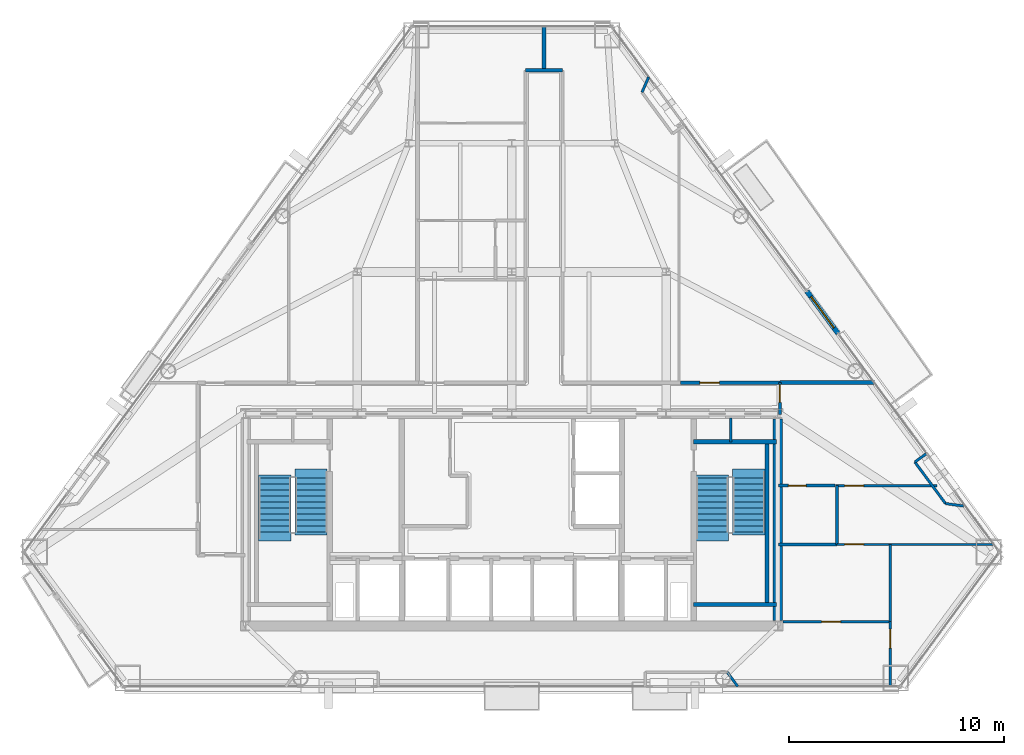
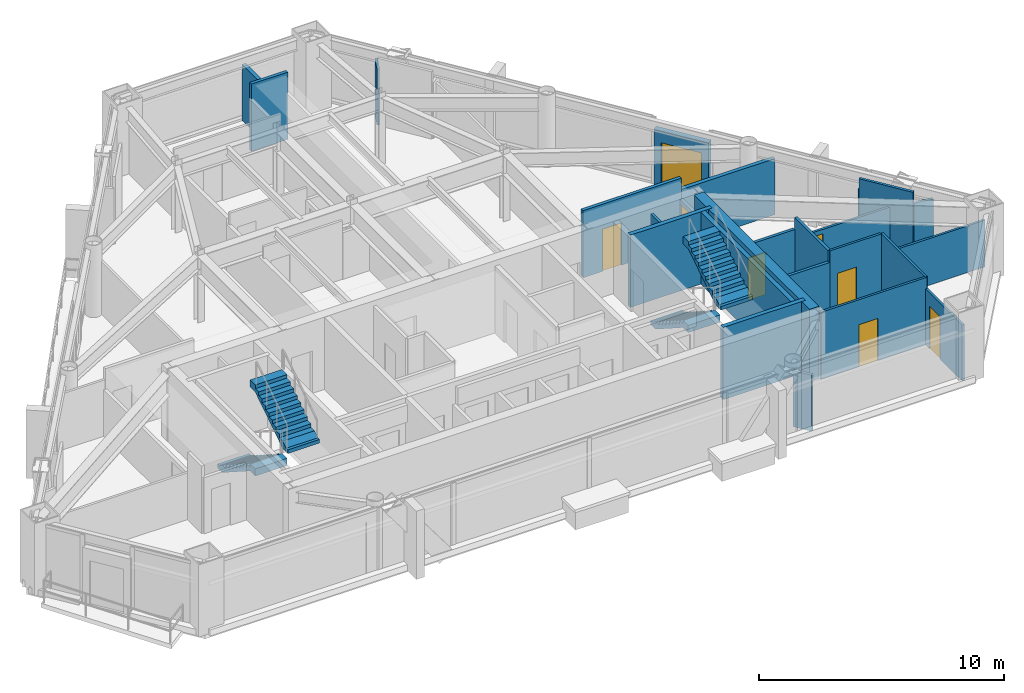
# One storey, part 9 of 11: 25 walls, 8 doors, 4 stair flights, 8 openings, 2 elements without a shape of their own.
"""IFC4 building model written with IfcOpenShell, lengths in metres."""

from ifc_helpers import new_model, si_unit, direction, frame, frame_2d, origin, place, context, subcontext, project, spatial, polyline, rectangle, outline, extrude, material, layer, layer_set, type_object, element, fill, aggregate, save


model = new_model("IFC4")

# Units and contexts
model_context = context("Model", 3, precision=1e-05, world=origin(), true_north=direction((0.0, 1.0)))
body_context = subcontext(model_context, "Body", "Model", "MODEL_VIEW")
ifc_project = project(units=[si_unit("LENGTHUNIT", "METRE"), si_unit("AREAUNIT", "SQUARE_METRE"), si_unit("VOLUMEUNIT", "CUBIC_METRE"), si_unit("PLANEANGLEUNIT", "RADIAN"), si_unit("MASSUNIT", "GRAM", prefix="KILO")], contexts=[model_context])

# Site, building, storey
site_placement = place(None, origin())
site = spatial("IfcSite", under=ifc_project, at=site_placement, CompositionType="ELEMENT")
building_placement = place(site_placement, origin())
building = spatial("IfcBuilding", under=site, at=building_placement, Name="Talgorran Terracotta Tower", CompositionType="ELEMENT")
storey_placement = place(building_placement, frame((0.0, 0.0, 158.10009765625)))
storey = spatial("IfcBuildingStorey", under=building, at=storey_placement, Name="L41", CompositionType="ELEMENT", Elevation=158.10009765625)

# Wall, opening, door
ifc_material_1 = material(Name="Concrete C40/50", Category="concrete")
ifc_layer_1 = layer(ifc_material_1, 0.239990234375, Name="WT_BALCONY_SPAND")
ifc_layer_set_1 = layer_set([ifc_layer_1], Name="Concrete C40/50")
wall_type_1 = type_object("IfcWallType", Name="WT_BALCONY_SPAND", PredefinedType="STANDARD", material=ifc_layer_set_1)
wall_1_placement = place(storey_placement, frame((15.20849609375, -0.460693359375, -0.01513671875), z_axis=(0.0, 0.0, 1.0), x_axis=(-0.593785976482, 0.804623026102, 0.0)))
wall_1 = element("IfcWall", 1, at=wall_1_placement, inside=storey, type_object=wall_type_1, Name="WL-L41-BALP-BAL-NE", PredefinedType="STANDARD", context=body_context, shape_type="SweptSolid", body=[
    extrude(rectangle(XDim=2.439697265625, YDim=0.239990234375, at=frame_2d((1.2197265625, 0.0))), origin(), (0.0, 0.0, 1.0), 2.80712890625),
])
opening_1_placement = place(wall_1_placement, frame((0.320068359375, 0.0, 0.014892578125)))
opening_1 = element("IfcOpeningElement", 2, at=opening_1_placement, cuts=wall_1, Name="Opening D-BAL-L41-1", PredefinedType="OPENING", context=body_context, shape_type="SweptSolid", body=[
    extrude(rectangle(XDim=1.806048828125, YDim=2.203951171875, at=frame_2d((0.89990234375, 1.10205078125))), frame((0.0, 0.1298828125, 0.0), z_axis=(0.0, -1.0, 0.0), x_axis=(1.0, 0.0, 0.0)), (0.0, 0.0, 1.0), 0.260009765625),
])
ifc_material_2 = material(Name="Thermally Broken Aluminium", Category="aluminium")
door_type_1 = type_object("IfcDoorType", Name="DT_BALC_1800", OperationType="SLIDING_TO_LEFT", PredefinedType="DOOR", material=ifc_material_2)
door_1_placement = place(opening_1_placement, origin())
door_1 = element("IfcDoor", 3, at=door_1_placement, inside=storey, type_object=door_type_1, Name="DR-L41-BAL-BAL-NE", OperationType="SLIDING_TO_LEFT", OverallHeight=2.199951171875, OverallWidth=1.800048828125, PredefinedType="DOOR", context=body_context, shape_type="SweptSolid", body=[
    extrude(rectangle(XDim=1.800048828125, YDim=2.199951171875, at=frame_2d((0.89990234375, 1.10009765625))), frame((0.0, 0.02490234375, 0.0), z_axis=(0.0, -1.0, 0.0), x_axis=(1.0, 0.0, 0.0)), (0.0, 0.0, 1.0), 0.050048828125),
])
fill(opening_1, door_1)

# Walls
ifc_material_3 = material(Name="Concrete C50/60", Category="concrete")
ifc_layer_2 = layer(ifc_material_3, 0.199951171875, Name="WT_CORE_200")
ifc_layer_set_2 = layer_set([ifc_layer_2], Name="Concrete C50/60")
wall_type_2 = type_object("IfcWallType", Name="WT_CORE_200", PredefinedType="SOLIDWALL", material=ifc_layer_set_2)
for number, where, z_axis, x_axis, name in (
    (4, (8.47998046875, -5.52001953125, 0.0), (0.0, 0.0, 1.0), (1.0, 0.0, 0.0), "WL-L41-CW-ST2-N"),
    (5, (8.47998046875, -13.10009765625, 0.0), (0.0, 0.0, 1.0), (1.0, 0.0, 0.0), "WL-L41-CW-ST2-S"),
):
    element("IfcWall", number, at=place(storey_placement, frame(where, z_axis=z_axis, x_axis=x_axis)), inside=storey, type_object=wall_type_2, Name=name, PredefinedType="SOLIDWALL", context=body_context, shape_type="SweptSolid", body=[
        extrude(rectangle(XDim=3.8701171875, YDim=0.199951171875, at=frame_2d((1.93505859375, 0.0))), origin(), (0.0, 0.0, 1.0), 3.599853515625),
    ])
wall_2_placement = place(storey_placement, frame((11.89990234375, -13.10009765625, 0.0), z_axis=(0.0, 0.0, 1.0), x_axis=(0.0, 1.0, 0.0)))
element("IfcWall", 6, at=wall_2_placement, inside=storey, type_object=wall_type_2, Name="WL-L41-CW-ST2-E", PredefinedType="SOLIDWALL", context=body_context, shape_type="SweptSolid", body=[
    extrude(rectangle(XDim=7.580078125, YDim=0.199951171875, at=frame_2d((3.7900390625, 0.0))), origin(), (0.0, 0.0, 1.0), 3.599853515625),
])
ifc_material_4 = material(Name="Concrete C65/80", Category="concrete")
ifc_layer_3 = layer(ifc_material_4, 0.449951171875, Name="WT_CORE_EXT")
ifc_layer_set_3 = layer_set([ifc_layer_3], Name="Concrete C65/80")
wall_type_3 = type_object("IfcWallType", Name="WT_CORE_EXT", PredefinedType="SHEAR", material=ifc_layer_set_3)
wall_3_placement = place(storey_placement, frame((12.39990234375, -13.85009765625, 0.0), z_axis=(0.0, 0.0, 1.0), x_axis=(0.0, 1.0, 0.0)))
element("IfcWall", 7, at=wall_3_placement, inside=storey, type_object=wall_type_3, Name="WL-L41-CW-OUT-E", PredefinedType="SHEAR", context=body_context, shape_type="SweptSolid", body=[
    extrude(rectangle(XDim=9.400146484375, YDim=0.449951171875, at=frame_2d((4.7001953125, 0.0))), origin(), (0.0, 0.0, 1.0), 3.599853515625),
])

# Wall, opening, door
ifc_material_5 = material(Name="Fire-Rated Steel Stud Plasterboard", Category="steel")
ifc_layer_4 = layer(ifc_material_5, 0.14990234375, Name="WT_FIRE_150")
ifc_layer_set_4 = layer_set([ifc_layer_4], Name="Fire-Rated Steel Stud Plasterboard")
wall_type_4 = type_object("IfcWallType", Name="WT_FIRE_150", PredefinedType="PARTITIONING", material=ifc_layer_set_4)
wall_4_placement = place(storey_placement, frame((7.862060546875, -2.760009765625, 0.0), z_axis=(0.0, 0.0, 1.0), x_axis=(1.0, 0.0, 0.0)))
wall_4 = element("IfcWall", 8, at=wall_4_placement, inside=storey, type_object=wall_type_4, Name="WL-L41-W-L41-R16", PredefinedType="PARTITIONING", context=body_context, shape_type="SweptSolid", body=[
    extrude(rectangle(XDim=4.637939453125, YDim=0.14990234375, at=frame_2d((2.31884765625, 0.0))), origin(), (0.0, 0.0, 1.0), 3.349853515625),
])
opening_2_placement = place(wall_4_placement, frame((0.912841796875, 0.0, 0.0)))
opening_2 = element("IfcOpeningElement", 9, at=opening_2_placement, cuts=wall_4, Name="Opening DR-L41-R16", PredefinedType="OPENING", context=body_context, shape_type="SweptSolid", body=[
    extrude(rectangle(XDim=0.90590234375, YDim=2.10409765625, at=frame_2d((0.449951171875, 1.052001953125))), frame((0.0, 0.0849609375, 0.0), z_axis=(0.0, -1.0, 0.0), x_axis=(1.0, 0.0, 0.0)), (0.0, 0.0, 1.0), 0.169921875),
])
ifc_material_6 = material(Name="Fire-Rated Timber Core", Category="wood")
door_type_2 = type_object("IfcDoorType", Name="DT_FIRE_900", OperationType="NOTDEFINED", PredefinedType="DOOR", material=ifc_material_6)
door_2_placement = place(opening_2_placement, origin())
door_2 = element("IfcDoor", 10, at=door_2_placement, inside=storey, type_object=door_type_2, Name="DR-L41-R16", OperationType="SINGLE_SWING_RIGHT", OverallHeight=2.10009765625, OverallWidth=0.89990234375, PredefinedType="DOOR", context=body_context, shape_type="SweptSolid", body=[
    extrude(rectangle(XDim=0.89990234375, YDim=2.10009765625, at=frame_2d((0.449951171875, 1.050048828125))), frame((0.0, 0.02490234375, 0.0), z_axis=(0.0, -1.0, 0.0), x_axis=(1.0, 0.0, 0.0)), (0.0, 0.0, 1.0), 0.050048828125),
])
fill(opening_2, door_2)

wall_5_placement = place(storey_placement, frame((12.5, -4.239990234375, 0.0), z_axis=(0.0, 0.0, 1.0), x_axis=(0.0, 1.0, 0.0)))
wall_5 = element("IfcWall", 11, at=wall_5_placement, inside=storey, type_object=wall_type_4, Name="WL-L41-W-L41-R04", PredefinedType="PARTITIONING", context=body_context, shape_type="SweptSolid", body=[
    extrude(rectangle(XDim=1.47998046875, YDim=0.14990234375, at=frame_2d((0.739990234375, 0.0))), origin(), (0.0, 0.0, 1.0), 2.324951171875),
])
opening_3_placement = place(wall_5_placement, frame((0.56005859375, 0.0, 0.0)))
opening_3 = element("IfcOpeningElement", 12, at=opening_3_placement, cuts=wall_5, Name="Opening DR-L41-R03", PredefinedType="OPENING", context=body_context, shape_type="SweptSolid", body=[
    extrude(rectangle(XDim=0.826068359375, YDim=2.10409765625, at=frame_2d((0.41015625, 1.052001953125))), frame((0.0, 0.0849609375, 0.0), z_axis=(0.0, -1.0, 0.0), x_axis=(1.0, 0.0, 0.0)), (0.0, 0.0, 1.0), 0.169921875),
])
ifc_material_7 = material(Name="Moisture-Resistant Solid Timber", Category="wood")
door_type_3 = type_object("IfcDoorType", Name="DT_INT_820", OperationType="NOTDEFINED", PredefinedType="DOOR", material=ifc_material_7)
door_3_placement = place(opening_3_placement, origin())
door_3 = element("IfcDoor", 13, at=door_3_placement, inside=storey, type_object=door_type_3, Name="DR-L41-R03", OperationType="SINGLE_SWING_LEFT", OverallHeight=2.10009765625, OverallWidth=0.820068359375, PredefinedType="DOOR", context=body_context, shape_type="SweptSolid", body=[
    extrude(rectangle(XDim=0.820068359375, YDim=2.10009765625, at=frame_2d((0.41015625, 1.050048828125))), frame((0.0, 0.02490234375, 0.0), z_axis=(0.0, -1.0, 0.0), x_axis=(1.0, 0.0, 0.0)), (0.0, 0.0, 1.0), 0.050048828125),
])
fill(opening_3, door_3)

# Walls
wall_6_placement = place(storey_placement, frame((0.639892578125, 11.800048828125, 0.0), z_axis=(0.0, 0.0, 1.0), x_axis=(1.0, 0.0, 0.0)))
element("IfcWall", 14, at=wall_6_placement, inside=storey, type_object=wall_type_4, Name="WL-L41-W-L41-R12", PredefinedType="PARTITIONING", context=body_context, shape_type="SweptSolid", body=[
    extrude(rectangle(XDim=1.72021484375, YDim=0.14990234375, at=frame_2d((0.860107421875, 0.0))), origin(), (0.0, 0.0, 1.0), 3.349853515625),
])
ifc_material_8 = material(Name="Acoustic Stud and Plasterboard")
ifc_layer_5 = layer(ifc_material_8, 0.179931640625, Name="WT_PARTY_200")
ifc_layer_set_5 = layer_set([ifc_layer_5], Name="Acoustic Stud and Plasterboard")
wall_type_5 = type_object("IfcWallType", Name="WT_PARTY_200", PredefinedType="PARTITIONING", material=ifc_layer_set_5)
wall_7_placement = place(storey_placement, frame((12.5, -2.760009765625, 0.0), z_axis=(0.0, 0.0, 1.0), x_axis=(1.0, 0.0, 0.0)))
element("IfcWall", 15, at=wall_7_placement, inside=storey, type_object=wall_type_5, Name="WL-L41-W-L41-R21", PredefinedType="PARTITIONING", context=body_context, shape_type="SweptSolid", body=[
    extrude(rectangle(XDim=4.4052734375, YDim=0.179931640625, at=frame_2d((2.20263671875, 0.0))), origin(), (0.0, 0.0, 1.0), 2.7919921875),
])
wall_8_placement = place(storey_placement, frame((1.5, 11.800048828125, 0.0), z_axis=(0.0, 0.0, 1.0), x_axis=(0.0, 1.0, 0.0)))
element("IfcWall", 16, at=wall_8_placement, inside=storey, type_object=wall_type_5, Name="WL-L41-W-L41-R40", PredefinedType="PARTITIONING", context=body_context, shape_type="SweptSolid", body=[
    extrude(rectangle(XDim=2.03466796875, YDim=0.179931640625, at=frame_2d((1.017333984375, 0.0))), origin(), (0.0, 0.0, 1.0), 2.7919921875),
])

# Wall, opening, door
ifc_material_9 = material(Name="Lightweight Steel Stud Partition", Category="steel")
ifc_layer_6 = layer(ifc_material_9, 0.10498046875, Name="WT_PART_110")
ifc_layer_set_6 = layer_set([ifc_layer_6], Name="Lightweight Steel Stud Partition")
wall_type_6 = type_object("IfcWallType", Name="WT_PART_110", PredefinedType="PARTITIONING", material=ifc_layer_set_6)
wall_9_placement = place(storey_placement, frame((12.652099609375, -13.89990234375, 0.0), z_axis=(0.0, 0.0, 1.0), x_axis=(1.0, 0.0, 0.0)))
wall_9 = element("IfcWall", 17, at=wall_9_placement, inside=storey, type_object=wall_type_6, Name="WL-L41-W-L41-R26", PredefinedType="PARTITIONING", context=body_context, shape_type="SweptSolid", body=[
    extrude(rectangle(XDim=4.98779296875, YDim=0.10498046875, at=frame_2d((2.493896484375, 0.0))), origin(), (0.0, 0.0, 1.0), 3.349853515625),
])
opening_4_placement = place(wall_9_placement, frame((1.799560546875, 0.0, 0.0)))
opening_4 = element("IfcOpeningElement", 18, at=opening_4_placement, cuts=wall_9, Name="Opening DR-L41-R06", PredefinedType="OPENING", context=body_context, shape_type="SweptSolid", body=[
    extrude(rectangle(XDim=0.8858828125, YDim=2.10409765625, at=frame_2d((0.43994140625, 1.052001953125))), frame((0.0, 0.0625, 0.0), z_axis=(0.0, -1.0, 0.0), x_axis=(1.0, 0.0, 0.0)), (0.0, 0.0, 1.0), 0.125),
])
ifc_material_10 = material(Name="Solid-Core Painted Timber", Category="wood")
door_type_4 = type_object("IfcDoorType", Name="DT_INT_880", OperationType="NOTDEFINED", PredefinedType="DOOR", material=ifc_material_10)
door_4_placement = place(opening_4_placement, origin())
door_4 = element("IfcDoor", 19, at=door_4_placement, inside=storey, type_object=door_type_4, Name="DR-L41-R06", OperationType="SINGLE_SWING_RIGHT", OverallHeight=2.10009765625, OverallWidth=0.8798828125, PredefinedType="DOOR", context=body_context, shape_type="SweptSolid", body=[
    extrude(rectangle(XDim=0.8798828125, YDim=2.10009765625, at=frame_2d((0.43994140625, 1.050048828125))), frame((0.0, 0.02490234375, 0.0), z_axis=(0.0, -1.0, 0.0), x_axis=(1.0, 0.0, 0.0)), (0.0, 0.0, 1.0), 0.050048828125),
])
fill(opening_4, door_4)

# Wall
wall_10_placement = place(storey_placement, frame((17.580078125, -10.300048828125, 0.0), z_axis=(0.0, 0.0, 1.0), x_axis=(1.0, 0.0, 0.0)))
element("IfcWall", 20, at=wall_10_placement, inside=storey, type_object=wall_type_6, Name="WL-L41-W-L41-R25", PredefinedType="PARTITIONING", context=body_context, shape_type="SweptSolid", body=[
    extrude(rectangle(XDim=4.889404296875, YDim=0.10498046875, at=frame_2d((2.44482421875, 0.0))), origin(), (0.0, 0.0, 1.0), 2.324951171875),
])

# Wall, opening, door
wall_11_placement = place(storey_placement, frame((15.080078125, -7.56005859375, 0.0), z_axis=(0.0, 0.0, 1.0), x_axis=(1.0, 0.0, 0.0)))
wall_11 = element("IfcWall", 21, at=wall_11_placement, inside=storey, type_object=wall_type_6, Name="WL-L41-W-L41-R20", PredefinedType="PARTITIONING", context=body_context, shape_type="SweptSolid", body=[
    extrude(rectangle(XDim=4.739990234375, YDim=0.10498046875, at=frame_2d((2.3701171875, 0.0))), origin(), (0.0, 0.0, 1.0), 2.324951171875),
])
opening_5_placement = place(wall_11_placement, frame((0.436279296875, 0.0, 0.0)))
opening_5 = element("IfcOpeningElement", 22, at=opening_5_placement, cuts=wall_11, Name="Opening DR-L41-R05", PredefinedType="OPENING", context=body_context, shape_type="SweptSolid", body=[
    extrude(rectangle(XDim=0.8858828125, YDim=2.10409765625, at=frame_2d((0.43994140625, 1.052001953125))), frame((0.0, 0.0625, 0.0), z_axis=(0.0, -1.0, 0.0), x_axis=(1.0, 0.0, 0.0)), (0.0, 0.0, 1.0), 0.125),
])
door_5_placement = place(opening_5_placement, origin())
door_5 = element("IfcDoor", 23, at=door_5_placement, inside=storey, type_object=door_type_4, Name="DR-L41-R05", OperationType="SINGLE_SWING_LEFT", OverallHeight=2.10009765625, OverallWidth=0.8798828125, PredefinedType="DOOR", context=body_context, shape_type="SweptSolid", body=[
    extrude(rectangle(XDim=0.8798828125, YDim=2.10009765625, at=frame_2d((0.43994140625, 1.050048828125))), frame((0.0, 0.02490234375, 0.0), z_axis=(0.0, -1.0, 0.0), x_axis=(1.0, 0.0, 0.0)), (0.0, 0.0, 1.0), 0.050048828125),
])
fill(opening_5, door_5)

# Wall
wall_12_placement = place(storey_placement, frame((17.639892578125, -13.89990234375, 0.0), z_axis=(0.0, 0.0, 1.0), x_axis=(0.0, 1.0, 0.0)))
element("IfcWall", 24, at=wall_12_placement, inside=storey, type_object=wall_type_6, Name="WL-L41-W-L41-R28", PredefinedType="PARTITIONING", context=body_context, shape_type="SweptSolid", body=[
    extrude(rectangle(XDim=3.599853515625, YDim=0.10498046875, at=frame_2d((1.7998046875, 0.0))), origin(), (0.0, 0.0, 1.0), 3.349853515625),
])

# Wall, opening, door
wall_13_placement = place(storey_placement, frame((17.639892578125, -16.929931640625, 0.0), z_axis=(0.0, 0.0, 1.0), x_axis=(0.0, 1.0, 0.0)))
wall_13 = element("IfcWall", 25, at=wall_13_placement, inside=storey, type_object=wall_type_6, Name="WL-L41-W-L41-R27", PredefinedType="PARTITIONING", context=body_context, shape_type="SweptSolid", body=[
    extrude(rectangle(XDim=3.030029296875, YDim=0.10498046875, at=frame_2d((1.51513671875, 0.0))), origin(), (0.0, 0.0, 1.0), 2.7919921875),
])
opening_6_placement = place(wall_13_placement, frame((1.793701171875, 0.0, 0.0)))
opening_6 = element("IfcOpeningElement", 26, at=opening_6_placement, cuts=wall_13, Name="Opening DR-L41-R07", PredefinedType="OPENING", context=body_context, shape_type="SweptSolid", body=[
    extrude(rectangle(XDim=0.8858828125, YDim=2.10409765625, at=frame_2d((0.43994140625, 1.052001953125))), frame((0.0, 0.0625, 0.0), z_axis=(0.0, -1.0, 0.0), x_axis=(1.0, 0.0, 0.0)), (0.0, 0.0, 1.0), 0.125),
])
door_6_placement = place(opening_6_placement, origin())
door_6 = element("IfcDoor", 27, at=door_6_placement, inside=storey, type_object=door_type_4, Name="DR-L41-R07", OperationType="SINGLE_SWING_LEFT", OverallHeight=2.10009765625, OverallWidth=0.8798828125, PredefinedType="DOOR", context=body_context, shape_type="SweptSolid", body=[
    extrude(rectangle(XDim=0.8798828125, YDim=2.10009765625, at=frame_2d((0.43994140625, 1.050048828125))), frame((0.0, 0.02490234375, 0.0), z_axis=(0.0, -1.0, 0.0), x_axis=(1.0, 0.0, 0.0)), (0.0, 0.0, 1.0), 0.050048828125),
])
fill(opening_6, door_6)

wall_14_placement = place(storey_placement, frame((15.159912109375, -10.300048828125, 0.0), z_axis=(0.0, 0.0, 1.0), x_axis=(1.0, 0.0, 0.0)))
wall_14 = element("IfcWall", 28, at=wall_14_placement, inside=storey, type_object=wall_type_6, Name="WL-L41-W-L41-R24", PredefinedType="PARTITIONING", context=body_context, shape_type="SweptSolid", body=[
    extrude(rectangle(XDim=2.41796875, YDim=0.10498046875, at=frame_2d((1.208984375, 0.0))), origin(), (0.0, 0.0, 1.0), 3.349853515625),
])
opening_7_placement = place(wall_14_placement, frame((0.356689453125, 0.0, 0.0)))
opening_7 = element("IfcOpeningElement", 29, at=opening_7_placement, cuts=wall_14, Name="Opening DR-L41-R17", PredefinedType="OPENING", context=body_context, shape_type="SweptSolid", body=[
    extrude(rectangle(XDim=0.8858828125, YDim=2.10409765625, at=frame_2d((0.43994140625, 1.052001953125))), frame((0.0, 0.0625, 0.0), z_axis=(0.0, -1.0, 0.0), x_axis=(1.0, 0.0, 0.0)), (0.0, 0.0, 1.0), 0.125),
])
door_7_placement = place(opening_7_placement, origin())
door_7 = element("IfcDoor", 30, at=door_7_placement, inside=storey, type_object=door_type_4, Name="DR-L41-R17", OperationType="SINGLE_SWING_LEFT", OverallHeight=2.10009765625, OverallWidth=0.8798828125, PredefinedType="DOOR", context=body_context, shape_type="SweptSolid", body=[
    extrude(rectangle(XDim=0.8798828125, YDim=2.10009765625, at=frame_2d((0.43994140625, 1.050048828125))), frame((0.0, 0.02490234375, 0.0), z_axis=(0.0, -1.0, 0.0), x_axis=(1.0, 0.0, 0.0)), (0.0, 0.0, 1.0), 0.050048828125),
])
fill(opening_7, door_7)

# Walls
ifc_material_11 = material(Name="Insulated Steel Stud Plasterboard", Category="steel")
ifc_layer_7 = layer(ifc_material_11, 0.1201171875, Name="WT_PART_120")
ifc_layer_set_7 = layer_set([ifc_layer_7], Name="Insulated Steel Stud Plasterboard")
wall_type_7 = type_object("IfcWallType", Name="WT_PART_120", PredefinedType="PARTITIONING", material=ifc_layer_set_7)
wall_15_placement = place(storey_placement, frame((10.199951171875, -5.52001953125, 0.0), z_axis=(0.0, 0.0, 1.0), x_axis=(0.0, 1.0, 0.0)))
element("IfcWall", 31, at=wall_15_placement, inside=storey, type_object=wall_type_7, Name="WL-L41-CW-CSE-DIV", PredefinedType="PARTITIONING", context=body_context, shape_type="SweptSolid", body=[
    extrude(rectangle(XDim=1.1201171875, YDim=0.1201171875, at=frame_2d((0.56005859375, 0.0))), origin(), (0.0, 0.0, 1.0), 3.349853515625),
])
wall_16_placement = place(storey_placement, frame((20.218994140625, -8.395751953125, 0.0), z_axis=(0.0, 0.0, 1.0), x_axis=(-0.593694221043, 0.804690730591, 0.0)))
element("IfcWall", 32, at=wall_16_placement, inside=storey, type_object=wall_type_7, Name="WL-L41-BW-L41-13", PredefinedType="PARTITIONING", context=body_context, shape_type="SweptSolid", body=[
    extrude(rectangle(XDim=2.404541015625, YDim=0.1201171875, at=frame_2d((1.2021484375, 0.0))), origin(), (0.0, 0.0, 1.0), 3.349853515625),
])
wall_17_placement = place(storey_placement, frame((21.060302734375, -8.51025390625, 0.0), z_axis=(0.0, 0.0, 1.0), x_axis=(-0.990865129617, 0.134856571617, 0.0)))
element("IfcWall", 33, at=wall_17_placement, inside=storey, type_object=wall_type_7, Name="WL-L41-BW-L41-12", PredefinedType="PARTITIONING", context=body_context, shape_type="SweptSolid", body=[
    extrude(rectangle(XDim=0.84912109375, YDim=0.1201171875, at=frame_2d((0.424560546875, 0.0))), origin(), (0.0, 0.0, 1.0), 2.7919921875),
])
wall_18_placement = place(storey_placement, frame((10.04150390625, -16.25, 0.0), z_axis=(0.0, 0.0, 1.0), x_axis=(0.591694765298, -0.806162083405, 0.0)))
element("IfcWall", 34, at=wall_18_placement, inside=storey, type_object=wall_type_7, Name="WL-L41-BW-L41-04", PredefinedType="PARTITIONING", context=body_context, shape_type="SweptSolid", body=[
    extrude(rectangle(XDim=0.8310546875, YDim=0.1201171875, at=frame_2d((0.41552734375, 0.0))), origin(), (0.0, 0.0, 1.0), 2.7919921875),
])
wall_19_placement = place(storey_placement, frame((6.0712890625, 10.775634765625, 0.0), z_axis=(0.0, 0.0, 1.0), x_axis=(0.404053030965, 0.91473556188, 0.0)))
element("IfcWall", 35, at=wall_19_placement, inside=storey, type_object=wall_type_7, Name="WL-L41-BW-L41-19", PredefinedType="PARTITIONING", context=body_context, shape_type="SweptSolid", body=[
    extrude(rectangle(XDim=0.771484375, YDim=0.1201171875, at=frame_2d((0.3857421875, 0.0))), origin(), (0.0, 0.0, 1.0), 2.7919921875),
])
wall_20_placement = place(storey_placement, frame((18.79150390625, -6.4609375, 0.0), z_axis=(0.0, 0.0, 1.0), x_axis=(0.804698441933, 0.59368376898, 0.0)))
element("IfcWall", 36, at=wall_20_placement, inside=storey, type_object=wall_type_7, Name="WL-L41-BW-L41-11", PredefinedType="PARTITIONING", context=body_context, shape_type="SweptSolid", body=[
    extrude(rectangle(XDim=0.669921875, YDim=0.1201171875, at=frame_2d((0.3349609375, 0.0))), origin(), (0.0, 0.0, 1.0), 2.7919921875),
])

# Wall, opening, door
ifc_material_12 = material(Name="Moisture-Resistant Stud Wall")
ifc_layer_8 = layer(ifc_material_12, 0.135009765625, Name="WT_PART_135")
ifc_layer_set_8 = layer_set([ifc_layer_8], Name="Moisture-Resistant Stud Wall")
wall_type_8 = type_object("IfcWallType", Name="WT_PART_135", PredefinedType="PARTITIONING", material=ifc_layer_set_8)
wall_21_placement = place(storey_placement, frame((12.43994140625, -7.56005859375, 0.0), z_axis=(0.0, 0.0, 1.0), x_axis=(1.0, 0.0, 0.0)))
wall_21 = element("IfcWall", 37, at=wall_21_placement, inside=storey, type_object=wall_type_8, Name="WL-L41-W-L41-R19", PredefinedType="PARTITIONING", context=body_context, shape_type="SweptSolid", body=[
    extrude(rectangle(XDim=2.637939453125, YDim=0.135009765625, at=frame_2d((1.31884765625, 0.0))), origin(), (0.0, 0.0, 1.0), 2.7919921875),
])
opening_8_placement = place(wall_21_placement, frame((0.457763671875, 0.0, 0.0)))
opening_8 = element("IfcOpeningElement", 38, at=opening_8_placement, cuts=wall_21, Name="Opening DR-L41-R04", PredefinedType="OPENING", context=body_context, shape_type="SweptSolid", body=[
    extrude(rectangle(XDim=0.826068359375, YDim=2.10409765625, at=frame_2d((0.41015625, 1.052001953125))), frame((0.0, 0.07763671875, 0.0), z_axis=(0.0, -1.0, 0.0), x_axis=(1.0, 0.0, 0.0)), (0.0, 0.0, 1.0), 0.155029296875),
])
door_8_placement = place(opening_8_placement, origin())
door_8 = element("IfcDoor", 39, at=door_8_placement, inside=storey, type_object=door_type_3, Name="DR-L41-R04", OperationType="SINGLE_SWING_RIGHT", OverallHeight=2.10009765625, OverallWidth=0.820068359375, PredefinedType="DOOR", context=body_context, shape_type="SweptSolid", body=[
    extrude(rectangle(XDim=0.820068359375, YDim=2.10009765625, at=frame_2d((0.41015625, 1.050048828125))), frame((0.0, 0.02490234375, 0.0), z_axis=(0.0, -1.0, 0.0), x_axis=(1.0, 0.0, 0.0)), (0.0, 0.0, 1.0), 0.050048828125),
])
fill(opening_8, door_8)

# Walls
wall_22_placement = place(storey_placement, frame((15.159912109375, -10.300048828125, 0.0), z_axis=(0.0, 0.0, 1.0), x_axis=(0.0, 1.0, 0.0)))
element("IfcWall", 40, at=wall_22_placement, inside=storey, type_object=wall_type_8, Name="WL-L41-W-L41-R22", PredefinedType="PARTITIONING", context=body_context, shape_type="SweptSolid", body=[
    extrude(rectangle(XDim=2.739990234375, YDim=0.135009765625, at=frame_2d((1.3701171875, 0.0))), origin(), (0.0, 0.0, 1.0), 3.349853515625),
])
wall_23_placement = place(storey_placement, frame((12.43994140625, -10.300048828125, 0.0), z_axis=(0.0, 0.0, 1.0), x_axis=(1.0, 0.0, 0.0)))
element("IfcWall", 41, at=wall_23_placement, inside=storey, type_object=wall_type_8, Name="WL-L41-W-L41-R23", PredefinedType="PARTITIONING", context=body_context, shape_type="SweptSolid", body=[
    extrude(rectangle(XDim=2.719970703125, YDim=0.135009765625, at=frame_2d((1.35986328125, 0.0))), origin(), (0.0, 0.0, 1.0), 2.7919921875),
])

# Stair, stair flights
stair_type = type_object("IfcStairType", Name="ST_FIRE_SCISSOR", PredefinedType="HALF_TURN_STAIR", material=ifc_material_1)
stair_1_placement = place(storey_placement, origin())
stair_1 = element("IfcStair", 42, at=stair_1_placement, inside=storey, type_object=stair_type, Name="L41 West Protected Fire Stair ST-01", PredefinedType="HALF_TURN_STAIR")
ifc_layer_9 = layer(ifc_material_1, 0.179931640625, Name="STF_RC_1500")
ifc_layer_set_9 = layer_set([ifc_layer_9], Name="Concrete C40/50")
stair_flight_type = type_object("IfcStairFlightType", Name="STF_RC_1500", PredefinedType="STRAIGHT", material=ifc_layer_set_9)
stair_flight_1_placement = place(storey_placement, frame((-11.050048828125, -7.199951171875, 0.0), z_axis=(0.0, 0.0, 1.0), x_axis=(0.0, -1.0, 0.0)))
stair_flight_1 = element("IfcStairFlight", 43, at=stair_flight_1_placement, type_object=stair_flight_type, Name="ST-01 flight 1", NumberOfRisers=10, NumberOfTreads=9, PredefinedType="STRAIGHT", RiserHeight=0.18, TreadLength=0.28, context=body_context, shape_type="SweptSolid", body=[
    extrude(outline(polyline([(-0.139892578125, 0.0), (-0.139892578125, 0.179931640625), (0.0, 0.179931640625), (0.280029296875, 0.360107421875), (0.56005859375, 0.360107421875), (0.56005859375, 0.5400390625), (0.840087890625, 0.5400390625), (0.840087890625, 0.719970703125), (1.1201171875, 0.719970703125), (1.1201171875, 0.89990234375), (1.39990234375, 0.89990234375), (1.39990234375, 1.080078125), (1.679931640625, 1.080078125), (1.679931640625, 1.260009765625), (1.9599609375, 1.260009765625), (1.9599609375, 1.43994140625), (2.239990234375, 1.43994140625), (2.239990234375, 1.6201171875), (2.52001953125, 1.6201171875), (2.52001953125, 1.800048828125), (2.93994140625, 1.800048828125), (2.93994140625, 1.44189453125), (2.52001953125, 1.44189453125), (0.277099609375, 0.0), (-0.139892578125, 0.0)])), frame((0.0, 0.75, 0.0), z_axis=(0.0, -1.0, 0.0), x_axis=(1.0, 0.0, 0.0)), (0.0, 0.0, 1.0), 1.5),
])
stair_flight_2_placement = place(storey_placement, frame((-9.35009765625, -9.719970703125, 1.7998046875), z_axis=(0.0, 0.0, 1.0), x_axis=(0.0, 1.0, 0.0)))
stair_flight_2 = element("IfcStairFlight", 44, at=stair_flight_2_placement, type_object=stair_flight_type, Name="ST-01 flight 2", NumberOfRisers=10, NumberOfTreads=9, PredefinedType="STRAIGHT", RiserHeight=0.18, TreadLength=0.28, context=body_context, shape_type="SweptSolid", body=[
    extrude(outline(polyline([(-0.139892578125, 0.0), (-0.139892578125, 0.179931640625), (0.0, 0.179931640625), (0.280029296875, 0.360107421875), (0.56005859375, 0.360107421875), (0.56005859375, 0.5400390625), (0.840087890625, 0.5400390625), (0.840087890625, 0.719970703125), (1.1201171875, 0.719970703125), (1.1201171875, 0.89990234375), (1.39990234375, 0.89990234375), (1.39990234375, 1.080078125), (1.679931640625, 1.080078125), (1.679931640625, 1.260009765625), (1.9599609375, 1.260009765625), (1.9599609375, 1.43994140625), (2.239990234375, 1.43994140625), (2.239990234375, 1.6201171875), (2.52001953125, 1.6201171875), (2.52001953125, 1.800048828125), (2.93994140625, 1.800048828125), (2.93994140625, 1.44189453125), (2.52001953125, 1.44189453125), (0.277099609375, 0.0), (-0.139892578125, 0.0)])), frame((0.0, 0.75, 0.0), z_axis=(0.0, -1.0, 0.0), x_axis=(1.0, 0.0, 0.0)), (0.0, 0.0, 1.0), 1.5),
])
aggregate(stair_1, [stair_flight_1, stair_flight_2])

stair_2_placement = place(storey_placement, origin())
stair_2 = element("IfcStair", 45, at=stair_2_placement, inside=storey, type_object=stair_type, Name="L41 East Protected Fire Stair ST-02", PredefinedType="HALF_TURN_STAIR")
stair_flight_3_placement = place(storey_placement, frame((9.35009765625, -7.199951171875, 0.0), z_axis=(0.0, 0.0, 1.0), x_axis=(0.0, -1.0, 0.0)))
stair_flight_3 = element("IfcStairFlight", 46, at=stair_flight_3_placement, type_object=stair_flight_type, Name="ST-02 flight 1", NumberOfRisers=10, NumberOfTreads=9, PredefinedType="STRAIGHT", RiserHeight=0.18, TreadLength=0.28, context=body_context, shape_type="SweptSolid", body=[
    extrude(outline(polyline([(-0.139892578125, 0.0), (-0.139892578125, 0.179931640625), (0.0, 0.179931640625), (0.280029296875, 0.360107421875), (0.56005859375, 0.360107421875), (0.56005859375, 0.5400390625), (0.840087890625, 0.5400390625), (0.840087890625, 0.719970703125), (1.1201171875, 0.719970703125), (1.1201171875, 0.89990234375), (1.39990234375, 0.89990234375), (1.39990234375, 1.080078125), (1.679931640625, 1.080078125), (1.679931640625, 1.260009765625), (1.9599609375, 1.260009765625), (1.9599609375, 1.43994140625), (2.239990234375, 1.43994140625), (2.239990234375, 1.6201171875), (2.52001953125, 1.6201171875), (2.52001953125, 1.800048828125), (2.93994140625, 1.800048828125), (2.93994140625, 1.44189453125), (2.52001953125, 1.44189453125), (0.277099609375, 0.0), (-0.139892578125, 0.0)])), frame((0.0, 0.75, 0.0), z_axis=(0.0, -1.0, 0.0), x_axis=(1.0, 0.0, 0.0)), (0.0, 0.0, 1.0), 1.5),
])
stair_flight_4_placement = place(storey_placement, frame((11.050048828125, -9.719970703125, 1.7998046875), z_axis=(0.0, 0.0, 1.0), x_axis=(0.0, 1.0, 0.0)))
stair_flight_4 = element("IfcStairFlight", 47, at=stair_flight_4_placement, type_object=stair_flight_type, Name="ST-02 flight 2", NumberOfRisers=10, NumberOfTreads=9, PredefinedType="STRAIGHT", RiserHeight=0.18, TreadLength=0.28, context=body_context, shape_type="SweptSolid", body=[
    extrude(outline(polyline([(-0.139892578125, 0.0), (-0.139892578125, 0.179931640625), (0.0, 0.179931640625), (0.280029296875, 0.360107421875), (0.56005859375, 0.360107421875), (0.56005859375, 0.5400390625), (0.840087890625, 0.5400390625), (0.840087890625, 0.719970703125), (1.1201171875, 0.719970703125), (1.1201171875, 0.89990234375), (1.39990234375, 0.89990234375), (1.39990234375, 1.080078125), (1.679931640625, 1.080078125), (1.679931640625, 1.260009765625), (1.9599609375, 1.260009765625), (1.9599609375, 1.43994140625), (2.239990234375, 1.43994140625), (2.239990234375, 1.6201171875), (2.52001953125, 1.6201171875), (2.52001953125, 1.800048828125), (2.93994140625, 1.800048828125), (2.93994140625, 1.44189453125), (2.52001953125, 1.44189453125), (0.277099609375, 0.0), (-0.139892578125, 0.0)])), frame((0.0, 0.75, 0.0), z_axis=(0.0, -1.0, 0.0), x_axis=(1.0, 0.0, 0.0)), (0.0, 0.0, 1.0), 1.5),
])
aggregate(stair_2, [stair_flight_3, stair_flight_4])

save(model, "model.ifc")
